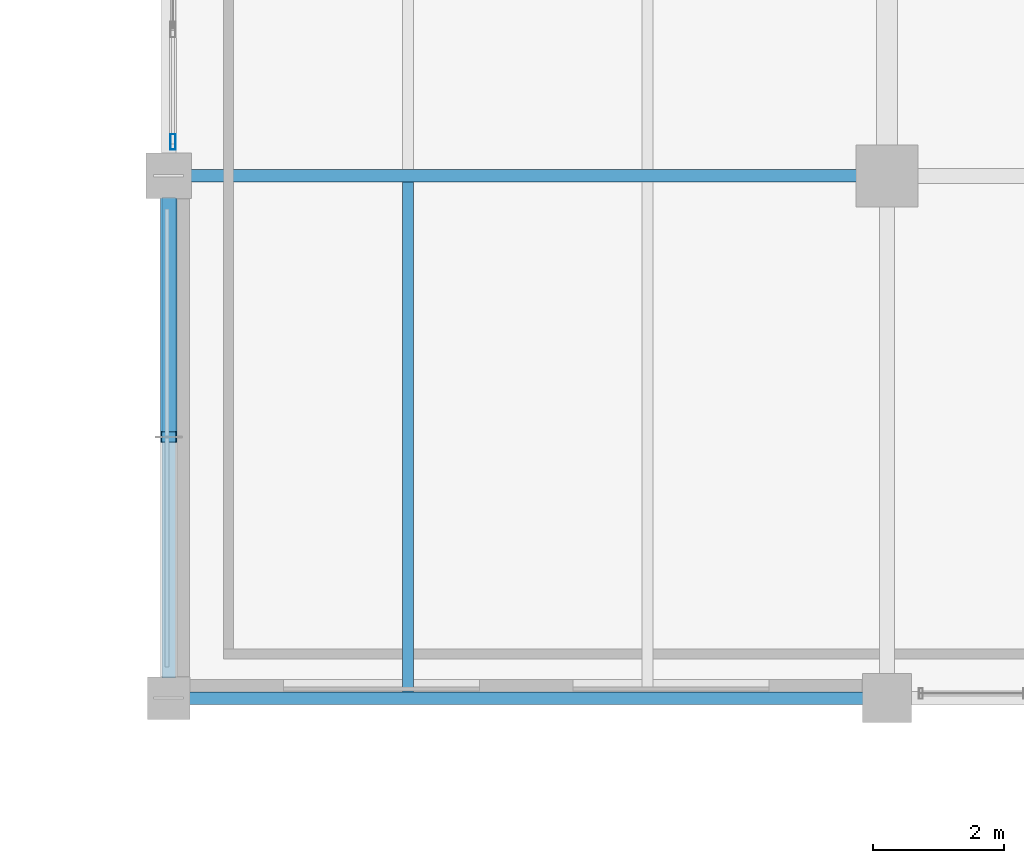
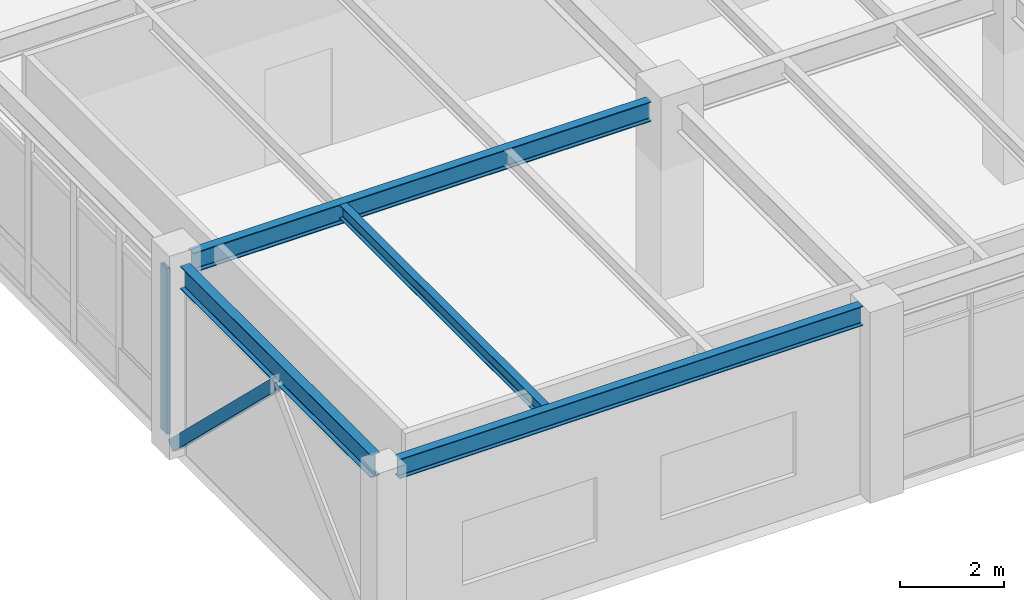
# One storey, part 53 of 200: 4 beams, 2 members, 1 element without a shape of its own.
"""IFC4 building model written with IfcOpenShell, lengths in metres."""

import ifcopenshell
import ifcopenshell.guid

model = None  # the IFC model being written
_history = None  # IfcOwnerHistory: only IFC2X3 demands one
_inside = {}  # id of a spatial element -> (the spatial element, [elements in it])
_under = {}  # id of a project, library or spatial element -> (it, [spatial elements below it])
_declared = {}  # id of a project -> (the project, [libraries it declares])
_typed = {}  # id of a type object -> (the type object, [elements of that type])
_made_of = {}  # id of a material, layer set ... -> (it, [elements and type objects made of it])


def new_model(schema):
    """Start an empty IFC model of exactly this schema.

    Asked for "IFC4X3", IfcOpenShell would pick the latest addendum, in which some entities
    have other attributes; the version numbers below select the first issue.
    IFC2X3 requires an IfcOwnerHistory on every rooted entity: one is made here for all.
    """
    global model, _history
    if schema == "IFC4X3":
        model = ifcopenshell.file(schema_version=(4, 3, 0, 0))
    else:
        model = ifcopenshell.file(schema=schema)
    _inside.clear()
    _under.clear()
    _declared.clear()
    _typed.clear()
    _made_of.clear()
    _history = None
    if model.schema == "IFC2X3":
        org = make("IfcOrganization", Name="unknown")
        user = make(
            "IfcPersonAndOrganization",
            ThePerson=make("IfcPerson", FamilyName="unknown"),
            TheOrganization=org,
        )
        app = make(
            "IfcApplication",
            ApplicationDeveloper=org,
            Version="unknown",
            ApplicationFullName="unknown",
            ApplicationIdentifier="unknown",
        )
        _history = make(
            "IfcOwnerHistory",
            OwningUser=user,
            OwningApplication=app,
            ChangeAction="ADDED",
            CreationDate=0,
        )
    return model


def make(cls, **values):
    """One entity of the class cls with the attributes given. An attribute that is None is left unset."""
    return model.create_entity(
        cls, **{name: value for name, value in values.items() if value is not None}
    )


def rooted(cls, **values):
    """An entity with a GlobalId (a new one), such as an element, a storey or a relation."""
    return make(cls, GlobalId=ifcopenshell.guid.new(), OwnerHistory=_history, **values)


def si_unit(unit_type, name, prefix=None):
    """IfcSIUnit, for example si_unit("LENGTHUNIT", "METRE", prefix="MILLI")."""
    return make("IfcSIUnit", UnitType=unit_type, Prefix=prefix, Name=name)


def assignment(units):
    """IfcUnitAssignment: the units of a project."""
    return None if units is None else make("IfcUnitAssignment", Units=units)


def point(xyz):
    """IfcCartesianPoint."""
    return None if xyz is None else make("IfcCartesianPoint", Coordinates=xyz)


def direction(xyz):
    """IfcDirection."""
    return None if xyz is None else make("IfcDirection", DirectionRatios=xyz)


def frame(location, z_axis=None, x_axis=None):
    """IfcAxis2Placement3D, a coordinate frame: its origin and axes. An axis left out is left unset."""
    return make(
        "IfcAxis2Placement3D",
        Location=point(location),
        Axis=direction(z_axis),
        RefDirection=direction(x_axis),
    )


def frame_2d(location, x_axis=None):
    """IfcAxis2Placement2D, a coordinate frame in the plane: its origin and x axis."""
    return make(
        "IfcAxis2Placement2D", Location=point(location), RefDirection=direction(x_axis)
    )


def origin():
    """The frame at (0, 0, 0) with its axes left unset."""
    return frame((0.0, 0.0, 0.0))


def origin_2d():
    """The frame at (0, 0) in the plane with its x axis left unset."""
    return frame_2d((0.0, 0.0))


def place(relative_to, where):
    """IfcLocalPlacement: puts the frame where relative to a parent placement (None: the world)."""
    return make(
        "IfcLocalPlacement", PlacementRelTo=relative_to, RelativePlacement=where
    )


def context(
    kind, dimensions, precision=None, world=None, true_north=None, identifier=None
):
    """IfcGeometricRepresentationContext, for example the 3D "Model" context."""
    return make(
        "IfcGeometricRepresentationContext",
        ContextIdentifier=identifier,
        ContextType=kind,
        CoordinateSpaceDimension=dimensions,
        Precision=precision,
        WorldCoordinateSystem=world,
        TrueNorth=true_north,
    )


def subcontext(parent, identifier, kind, view, scale=None):
    """IfcGeometricRepresentationSubContext, for example "Body" below "Model"."""
    return make(
        "IfcGeometricRepresentationSubContext",
        ContextIdentifier=identifier,
        ContextType=kind,
        ParentContext=parent,
        TargetScale=scale,
        TargetView=view,
    )


def project(units=None, contexts=None):
    """IfcProject with its units and contexts."""
    return rooted(
        "IfcProject",
        Name="project",
        RepresentationContexts=contexts,
        UnitsInContext=assignment(units),
    )


def spatial(cls, under=None, at=None, **own):
    """A site, building, storey or space (cls), placed at a placement, below another one or the project."""
    s = rooted(cls, ObjectPlacement=at, **own)
    if under is not None:
        _under.setdefault(under.id(), (under, []))[1].append(s)
    return s


def profile(cls, at=None, kind="AREA", **sizes):
    """A parametric profile (cls). Its sizes go by their IFC names, for example OverallWidth=200.0."""
    return make(cls, ProfileType=kind, Position=at, **sizes)


def hollow_rectangle(**sizes):
    """IfcRectangleHollowProfileDef."""
    return profile("IfcRectangleHollowProfileDef", **sizes)


def i_section(**sizes):
    """IfcIShapeProfileDef."""
    return profile("IfcIShapeProfileDef", **sizes)


def extrude(swept, where, along, depth):
    """IfcExtrudedAreaSolid: the profile swept, set in the frame where, extruded along a direction by depth."""
    return make(
        "IfcExtrudedAreaSolid",
        SweptArea=swept,
        Position=where,
        ExtrudedDirection=direction(along),
        Depth=depth,
    )


def shape(context_of_items, identifier, shape_type, items):
    """IfcShapeRepresentation: the items that make up one representation, for example the "Body"."""
    return make(
        "IfcShapeRepresentation",
        ContextOfItems=context_of_items,
        RepresentationIdentifier=identifier,
        RepresentationType=shape_type,
        Items=items,
    )


def material(Name=None, Category=None):
    """IfcMaterial."""
    return make("IfcMaterial", Name=Name, Category=Category)


def material_profile(
    of_material, cross_section, Name=None, Category=None, Priority=None
):
    """IfcMaterialProfile: a cross section and its material."""
    return make(
        "IfcMaterialProfile",
        Name=Name,
        Material=of_material,
        Profile=cross_section,
        Priority=Priority,
        Category=Category,
    )


def profile_set(profiles, Name=None, composite=None):
    """IfcMaterialProfileSet."""
    return make(
        "IfcMaterialProfileSet",
        Name=Name,
        MaterialProfiles=profiles,
        CompositeProfile=composite,
    )


def made_of(thing, what):
    """Note that an element or type object is made of a material, layer set ...; save() writes the relation."""
    if what is not None:
        _made_of.setdefault(what.id(), (what, []))[1].append(thing)
    return thing


def type_object(cls, material=None, **own):
    """A type object (cls), such as IfcWallType, which elements share."""
    return made_of(rooted(cls, **own), material)


def element(
    cls,
    number,
    at=None,
    inside=None,
    cuts=None,
    type_object=None,
    material=None,
    context=None,
    identifier="Body",
    shape_type=None,
    held_by="IfcProductDefinitionShape",
    body=None,
    shapes=None,
    **own,
):
    """One element of the class cls, such as IfcWall. Its Tag is "e" and its number.

    at: its placement. inside: the storey or other place that contains it. cuts: it is an
    opening in that element (IfcRelVoidsElement). A single representation is given by context,
    identifier, shape_type and body (its items); several are given by shapes. held_by: the class
    of the entity that holds the representations. save() writes the other relations.
    """
    e = rooted(cls, Tag="e%d" % number, ObjectPlacement=at, **own)
    if body is not None:
        shapes = [shape(context, identifier, shape_type, body)]
    if shapes is not None:
        e.Representation = make(held_by, Representations=shapes)
    if inside is not None:
        _inside.setdefault(inside.id(), (inside, []))[1].append(e)
    if cuts is not None:
        rooted(
            "IfcRelVoidsElement", RelatingBuildingElement=cuts, RelatedOpeningElement=e
        )
    if type_object is not None:
        _typed.setdefault(type_object.id(), (type_object, []))[1].append(e)
    return made_of(e, material)


def aggregate(whole, parts):
    """IfcRelAggregates: a whole, such as a stair, and the parts it consists of."""
    return rooted("IfcRelAggregates", RelatingObject=whole, RelatedObjects=parts)


def save(model, path):
    """Write the relations noted so far, then the file.

    IfcRelAggregates (storeys below a building ...), IfcRelContainedInSpatialStructure (elements
    in a storey), IfcRelDefinesByType, IfcRelAssociatesMaterial and IfcRelDeclares: one each for
    every whole, place, type object, material and project.
    """
    for whole, parts in _under.values():
        aggregate(whole, parts)
    for where, things in _inside.values():
        rooted(
            "IfcRelContainedInSpatialStructure",
            RelatedElements=things,
            RelatingStructure=where,
        )
    for kind, things in _typed.values():
        rooted("IfcRelDefinesByType", RelatedObjects=things, RelatingType=kind)
    for what, things in _made_of.values():
        rooted("IfcRelAssociatesMaterial", RelatedObjects=things, RelatingMaterial=what)
    for by, libraries in _declared.values():
        rooted("IfcRelDeclares", RelatingContext=by, RelatedDefinitions=libraries)
    model.write(path)


model = new_model("IFC4")

# Units and contexts
model_context = context("Model", 3, precision=1e-05, world=origin(), true_north=direction((0.0, 1.0)))
body_context = subcontext(model_context, "Body", "Model", "MODEL_VIEW")
ifc_project = project(units=[si_unit("LENGTHUNIT", "METRE"), si_unit("AREAUNIT", "SQUARE_METRE"), si_unit("VOLUMEUNIT", "CUBIC_METRE"), si_unit("PLANEANGLEUNIT", "RADIAN"), si_unit("MASSUNIT", "GRAM", prefix="KILO"), si_unit("THERMODYNAMICTEMPERATUREUNIT", "KELVIN"), si_unit("POWERUNIT", "WATT")], contexts=[model_context])

# Site, building, storey
site_placement = place(None, origin())
site = spatial("IfcSite", under=ifc_project, at=site_placement, CompositionType="ELEMENT")
building_placement = place(site_placement, origin())
building = spatial("IfcBuilding", under=site, at=building_placement, Name="Tepalcoro Natatorium and Aquatics Centre", CompositionType="ELEMENT")
storey_placement = place(building_placement, frame((0.0, 0.0, 5.39990234375)))
storey = spatial("IfcBuildingStorey", under=building, at=storey_placement, Name="L01", CompositionType="ELEMENT", Elevation=5.39990234375)

# Beam
ifc_material_1 = material(Name="Steel ASTM A992 Grade 50 (Fy 345 MPa)", Category="steel")
ifc_material_profile_1 = material_profile(ifc_material_1, i_section(OverallWidth=0.193115234375, OverallDepth=0.467041015625, WebThickness=0.010986328125, FlangeThickness=0.01904296875, FilletRadius=0.013916015625, at=origin_2d()), Name="W18X65")
ifc_profile_set_1 = profile_set([ifc_material_profile_1], Name="Steel ASTM A992 Grade 50 (Fy 345 MPa)")
beam_type_1 = type_object("IfcBeamType", Name="BM_W18x65", PredefinedType="BEAM", material=ifc_profile_set_1)
beam_1_placement = place(storey_placement, frame((10.3349609375, 94.0, 4.251708984375), z_axis=(1.0, 0.0, 0.0), x_axis=(0.0, 1.0, 0.0)))
element("IfcBeam", 1, at=beam_1_placement, inside=storey, type_object=beam_type_1, Name="V4 L01 Grid Girder X", PredefinedType="BEAM", context=body_context, shape_type="SweptSolid", body=[
    extrude(i_section(OverallWidth=0.193115234375, OverallDepth=0.467041015625, WebThickness=0.010986328125, FlangeThickness=0.01904296875, FilletRadius=0.013916015625, at=origin_2d()), origin(), (0.0, 0.0, 1.0), 10.205078125),
])

# Curtain wall, member
ifc_material_2 = material(Name="Bronze-Anodised Extruded Aluminium Alloy EN AW-6063 T6", Category="aluminium")
curtain_wall_type = type_object("IfcCurtainWallType", Name="CW_LEAN_T1_NS", PredefinedType="USERDEFINED", material=ifc_material_2)
curtain_wall_placement = place(storey_placement, origin())
curtain_wall = element("IfcCurtainWall", 2, at=curtain_wall_placement, inside=storey, type_object=curtain_wall_type, Name="V4 L01 W Unitised Curtain Wall Bay 2", ObjectType="FACETED SOLAR GLAZING", PredefinedType="USERDEFINED")
ifc_material_profile_2 = material_profile(ifc_material_2, hollow_rectangle(XDim=0.080078125, YDim=0.239990234375, WallThickness=0.0048828125, at=origin_2d()), Name="AL80X240X5")
ifc_profile_set_2 = profile_set([ifc_material_profile_2], Name="Bronze-Anodised Extruded Aluminium Alloy EN AW-6063 T6")
member_type_1 = type_object("IfcMemberType", Name="CW_MUL_80x240", PredefinedType="MULLION", material=ifc_profile_set_2)
member_1_placement = place(storey_placement, frame((10.06494140625, 94.52001953125, 0.02001953125), z_axis=(0.0, 0.0, 1.0), x_axis=(1.0, 0.0, 0.0)))
member_1 = element("IfcMember", 3, at=member_1_placement, type_object=member_type_1, Name="CW_LEAN_T1_NS Curtain Wall Mullion", PredefinedType="MULLION", context=body_context, shape_type="SweptSolid", body=[
    extrude(hollow_rectangle(XDim=0.080078125, YDim=0.239990234375, WallThickness=0.0048828125, at=origin_2d()), origin(), (0.0, 0.0, 1.0), 3.898193359375),
])
aggregate(curtain_wall, [member_1])

# Beam
ifc_material_profile_3 = material_profile(ifc_material_1, i_section(OverallWidth=0.1669921875, OverallDepth=0.318115234375, WebThickness=0.008056640625, FlangeThickness=0.012939453125, FilletRadius=0.013916015625, at=origin_2d()), Name="W12X35")
ifc_profile_set_3 = profile_set([ifc_material_profile_3], Name="Steel ASTM A992 Grade 50 (Fy 345 MPa)")
beam_type_2 = type_object("IfcBeamType", Name="JS_W12x35", PredefinedType="JOIST", material=ifc_profile_set_3)
beam_2_placement = place(storey_placement, frame((13.666748046875, 86.095458984375, 4.326171875), z_axis=(0.0, 1.0, 0.0), x_axis=(-1.0, 0.0, 0.0)))
element("IfcBeam", 4, at=beam_2_placement, inside=storey, type_object=beam_type_2, Name="V4 L01 Floor Joist", PredefinedType="JOIST", context=body_context, shape_type="SweptSolid", body=[
    extrude(i_section(OverallWidth=0.1669921875, OverallDepth=0.318115234375, WebThickness=0.008056640625, FlangeThickness=0.012939453125, FilletRadius=0.013916015625, at=origin_2d()), origin(), (0.0, 0.0, 1.0), 7.80810546875),
])

# Member
ifc_material_3 = material(Name="Hollow Steel ASTM A500 Grade C (Fy 345 MPa)", Category="steel")
ifc_material_profile_4 = material_profile(ifc_material_3, hollow_rectangle(XDim=0.25, YDim=0.25, WallThickness=0.013916015625, at=origin_2d()), Name="HSS250X250X14")
ifc_profile_set_4 = profile_set([ifc_material_profile_4], Name="Hollow Steel ASTM A500 Grade C (Fy 345 MPa)")
member_type_2 = type_object("IfcMemberType", Name="MB_BR_HSS250x250x14", PredefinedType="BRACE", material=ifc_profile_set_4)
member_2_placement = place(storey_placement, frame((10.0, 94.0, 0.050048828125), z_axis=(0.0, -0.717780294483, 0.696269666761), x_axis=(1.0, 0.0, 0.0)))
element("IfcMember", 5, at=member_2_placement, inside=storey, type_object=member_type_2, Name="V4 L01 Chevron Lateral Brace", PredefinedType="BRACE", context=body_context, shape_type="SweptSolid", body=[
    extrude(hollow_rectangle(XDim=0.25, YDim=0.25, WallThickness=0.013916015625, at=origin_2d()), origin(), (0.0, 0.0, 1.0), 5.57275390625),
])

# Beams
ifc_material_profile_5 = material_profile(ifc_material_1, i_section(OverallWidth=0.19091796875, OverallDepth=0.4599609375, WebThickness=0.010009765625, FlangeThickness=0.01611328125, FilletRadius=0.013916015625, at=origin_2d()), Name="W18X55")
ifc_profile_set_5 = profile_set([ifc_material_profile_5], Name="Steel ASTM A992 Grade 50 (Fy 345 MPa)")
beam_type_3 = type_object("IfcBeamType", Name="SP_W18x55", PredefinedType="SPANDREL", material=ifc_profile_set_5)
beam_3_placement = place(storey_placement, frame((10.31005859375, 86.0, 4.255126953125), z_axis=(1.0, 0.0, 0.0), x_axis=(0.0, 1.0, 0.0)))
element("IfcBeam", 6, at=beam_3_placement, inside=storey, type_object=beam_type_3, Name="V4 L01 Grid Girder X", PredefinedType="SPANDREL", context=body_context, shape_type="SweptSolid", body=[
    extrude(i_section(OverallWidth=0.19091796875, OverallDepth=0.4599609375, WebThickness=0.010009765625, FlangeThickness=0.01611328125, FilletRadius=0.013916015625, at=origin_2d()), origin(), (0.0, 0.0, 1.0), 10.329833984375),
])
ifc_material_profile_6 = material_profile(ifc_material_1, i_section(OverallWidth=0.2099609375, OverallDepth=0.535888671875, WebThickness=0.010986328125, FlangeThickness=0.01708984375, FilletRadius=0.013916015625, at=origin_2d()), Name="W21X68")
ifc_profile_set_6 = profile_set([ifc_material_profile_6], Name="Steel ASTM A992 Grade 50 (Fy 345 MPa)")
beam_type_4 = type_object("IfcBeamType", Name="SP_W21x68", PredefinedType="SPANDREL", material=ifc_profile_set_6)
beam_4_placement = place(storey_placement, frame((10.0, 86.31005859375, 4.217041015625), z_axis=(0.0, 1.0, 0.0), x_axis=(-1.0, 0.0, 0.0)))
element("IfcBeam", 7, at=beam_4_placement, inside=storey, type_object=beam_type_4, Name="V4 L01 Grid Girder Y", PredefinedType="SPANDREL", context=body_context, shape_type="SweptSolid", body=[
    extrude(i_section(OverallWidth=0.2099609375, OverallDepth=0.535888671875, WebThickness=0.010986328125, FlangeThickness=0.01708984375, FilletRadius=0.013916015625, at=origin_2d()), origin(), (0.0, 0.0, 1.0), 7.35498046875),
])

save(model, "model.ifc")
